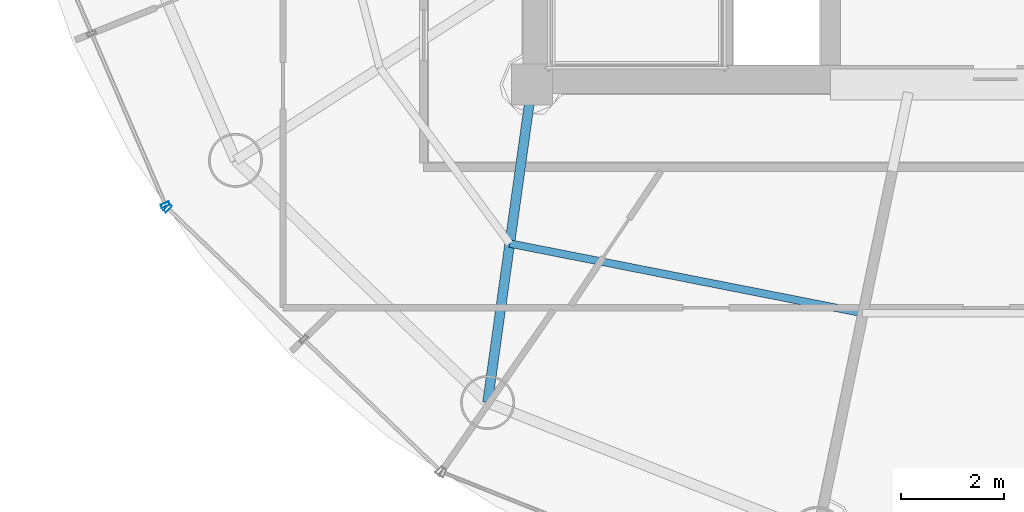
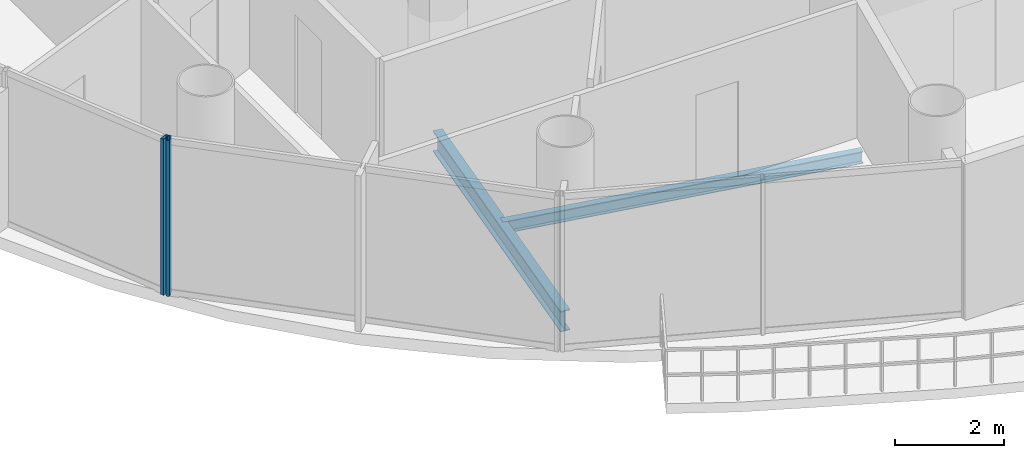
# One storey, part 3 of 23: 2 beams, 2 members, 2 elements without a shape of their own.
"""IFC4 building model written with IfcOpenShell, lengths in metres."""

from ifc_helpers import new_model, si_unit, direction, frame, origin, origin_2d, place, context, subcontext, project, spatial, hollow_rectangle, i_section, extrude, source, transform, mapped, material, material_profile, profile_set, type_object, element, aggregate, save


model = new_model("IFC4")

# Units and contexts
model_context = context("Model", 3, precision=1e-05, world=origin(), true_north=direction((-0.2419218956, 0.970295726276)))
body_context = subcontext(model_context, "Body", "Model", "MODEL_VIEW")
ifc_project = project(units=[si_unit("LENGTHUNIT", "METRE"), si_unit("AREAUNIT", "SQUARE_METRE"), si_unit("VOLUMEUNIT", "CUBIC_METRE"), si_unit("PLANEANGLEUNIT", "RADIAN"), si_unit("MASSUNIT", "GRAM", prefix="KILO")], contexts=[model_context])

# Site, building, storey
site_placement = place(None, origin())
site = spatial("IfcSite", under=ifc_project, at=site_placement, CompositionType="ELEMENT")
building_placement = place(site_placement, origin())
building = spatial("IfcBuilding", under=site, at=building_placement, Name="Cobrevalo Terracotta Tower", CompositionType="ELEMENT")
storey_placement = place(building_placement, frame((0.0, 0.0, 263.199951171875)))
storey = spatial("IfcBuildingStorey", under=building, at=storey_placement, Name="L69", CompositionType="ELEMENT", Elevation=263.199951171875)

# Beams
ifc_material_1 = material(Name="Steel S355", Category="steel")
ifc_material_profile_1 = material_profile(ifc_material_1, i_section(OverallWidth=0.19091796875, OverallDepth=0.4599609375, WebThickness=0.010009765625, FlangeThickness=0.01611328125, at=origin_2d()), Name="W 460x82")
ifc_profile_set_1 = profile_set([ifc_material_profile_1], Name="Steel S355")
beam_type_1 = type_object("IfcBeamType", Name="Structural Beam W 460x82 (Steel S355)", PredefinedType="BEAM", material=ifc_profile_set_1)
beam_1_placement = place(storey_placement, frame((28.138671875, 12.62353515625, -0.489990234375), z_axis=(0.138115657759, 0.990416107039, 0.0), x_axis=(-0.990416107039, 0.138115657759, 0.0)))
element("IfcBeam", 1, at=beam_1_placement, inside=storey, type_object=beam_type_1, Name="L69 radial floor girder 11", PredefinedType="BEAM", context=body_context, shape_type="SweptSolid", body=[
    extrude(i_section(OverallWidth=0.19091796875, OverallDepth=0.4599609375, WebThickness=0.010009765625, FlangeThickness=0.01611328125, at=origin_2d()), origin(), (0.0, 0.0, 1.0), 6.236328125),
])
ifc_material_profile_2 = material_profile(ifc_material_1, i_section(OverallWidth=0.14794921875, OverallDepth=0.26611328125, WebThickness=0.007568359375, FlangeThickness=0.012939453125, at=origin_2d()), Name="W 250x44.8")
ifc_profile_set_2 = profile_set([ifc_material_profile_2], Name="Steel S355")
beam_type_2 = type_object("IfcBeamType", Name="Structural Joist W 250x44.8 (Steel S355)", PredefinedType="JOIST", material=ifc_profile_set_2)
beam_2_placement = place(storey_placement, frame((28.5693359375, 15.711669921875, -0.39306640625), z_axis=(0.981145060421, -0.193272787563, 0.0), x_axis=(0.193272787563, 0.981145060421, 0.0)))
element("IfcBeam", 2, at=beam_2_placement, inside=storey, type_object=beam_type_2, Name="L69 circumferential secondary floor joist 11", PredefinedType="JOIST", context=body_context, shape_type="SweptSolid", body=[
    extrude(i_section(OverallWidth=0.14794921875, OverallDepth=0.26611328125, WebThickness=0.007568359375, FlangeThickness=0.012939453125, at=origin_2d()), origin(), (0.0, 0.0, 1.0), 6.98681640625),
])

# Curtain wall, member
ifc_material_2 = material(Name="Anodized aluminium", Category="aluminium")
curtain_wall_type = type_object("IfcCurtainWallType", Name="Upper-tower triple-glazed penthouse curtain wall CW-U3", PredefinedType="NOTDEFINED", material=ifc_material_2)
curtain_wall_1_placement = place(storey_placement, origin())
curtain_wall_1 = element("IfcCurtainWall", 3, at=curtain_wall_1_placement, inside=storey, type_object=curtain_wall_type, Name="L69 curtain wall CW-L69-S09", PredefinedType="NOTDEFINED")
ifc_material_profile_3 = material_profile(ifc_material_2, hollow_rectangle(XDim=0.070068359375, YDim=0.169921875, WallThickness=0.00439453125, at=origin_2d()), Name="CWM 70x170")
ifc_profile_set_3 = profile_set([ifc_material_profile_3], Name="Anodized aluminium")
member_type = type_object("IfcMemberType", Name="Upper tower unitised mullion 70x170", PredefinedType="MULLION", material=ifc_profile_set_3)
shared_shape = source(origin(), body_context, "Body", "SweptSolid", [
    extrude(hollow_rectangle(XDim=0.070068359375, YDim=0.169921875, WallThickness=0.00439453125, at=origin_2d()), origin(), (0.0, 0.0, 1.0), 3.489990234375),
])
member_1_placement = place(storey_placement, frame((21.878662109375, 16.46435546875, 0.0), z_axis=(0.0, 0.0, 1.0), x_axis=(0.39482403454, -0.91875675875, 0.0)))
member_1 = element("IfcMember", 4, at=member_1_placement, type_object=member_type, Name="CW-L69-S09 vertical mullion 03", PredefinedType="MULLION", context=body_context, shape_type="MappedRepresentation", body=[
    mapped(shared_shape, transform((0.0, 0.0, 0.0), scale=1.0)),
])
aggregate(curtain_wall_1, [member_1])

curtain_wall_2_placement = place(storey_placement, origin())
curtain_wall_2 = element("IfcCurtainWall", 5, at=curtain_wall_2_placement, inside=storey, type_object=curtain_wall_type, Name="L69 curtain wall CW-L69-S10", PredefinedType="NOTDEFINED")
member_2_placement = place(storey_placement, frame((21.92333984375, 16.399658203125, 0.0), z_axis=(0.0, 0.0, 1.0), x_axis=(0.71999418085, -0.69398010025, 0.0)))
member_2 = element("IfcMember", 6, at=member_2_placement, type_object=member_type, Name="CW-L69-S10 vertical mullion 01", PredefinedType="MULLION", context=body_context, shape_type="MappedRepresentation", body=[
    mapped(shared_shape, transform((0.0, 0.0, 0.0), scale=1.0)),
])
aggregate(curtain_wall_2, [member_2])

save(model, "model.ifc")
